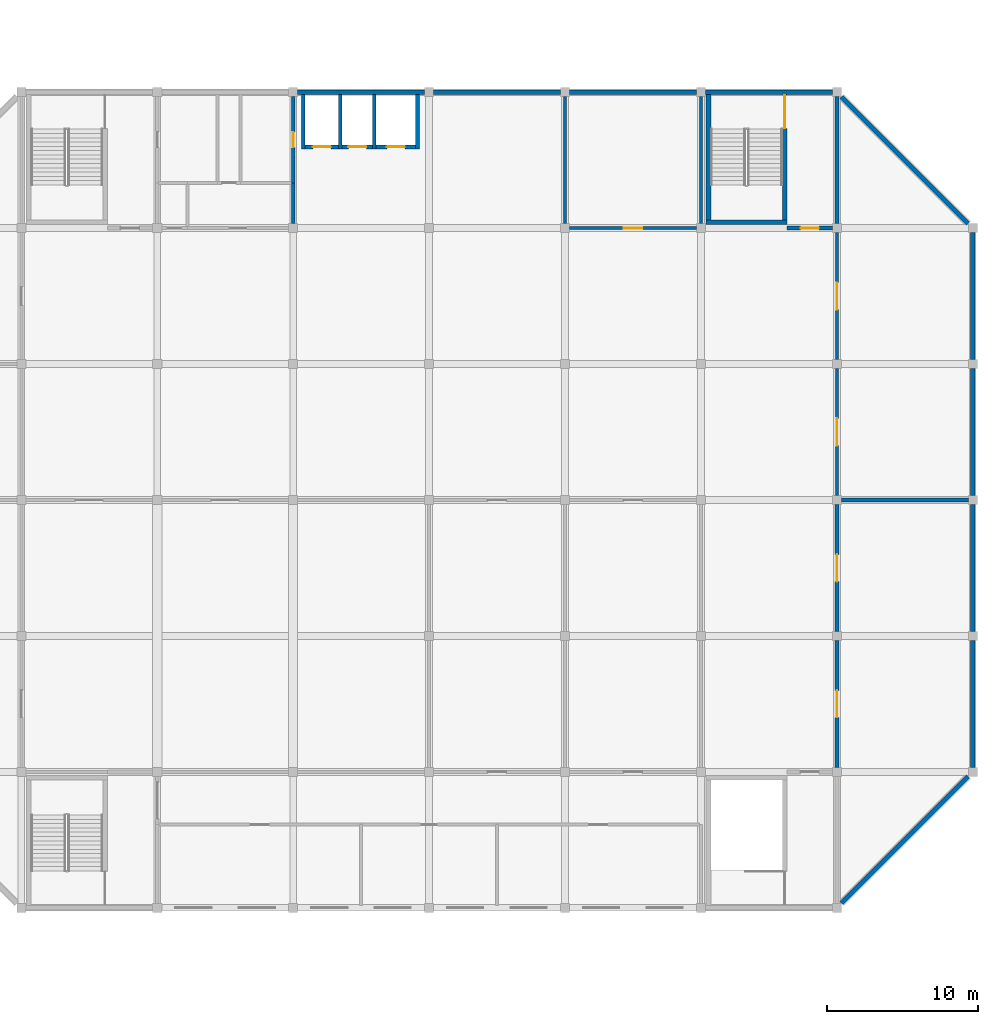
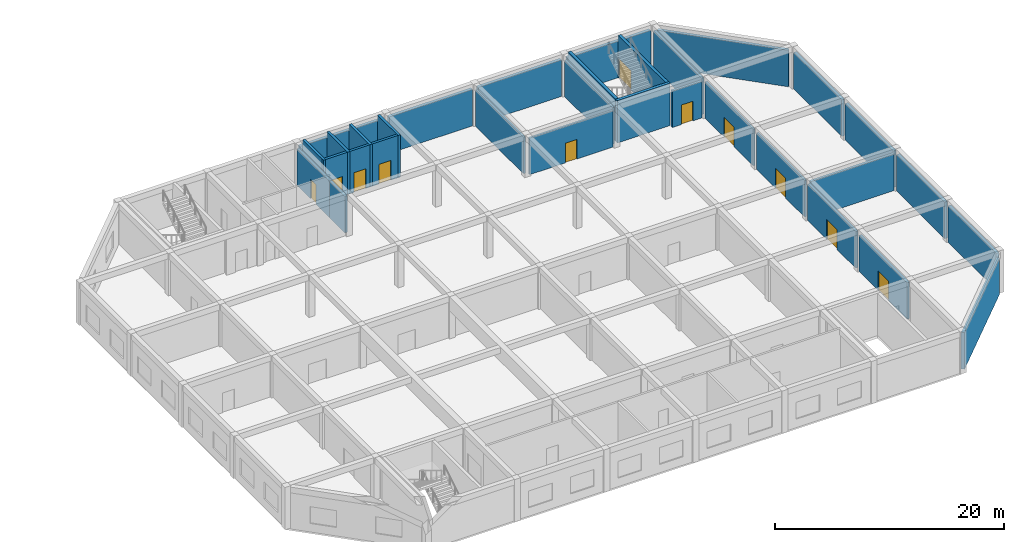
# One storey, part 16 of 26: 30 walls, 11 doors, 11 openings.
"""IFC4 building model written with IfcOpenShell, lengths in metres."""

from ifc_helpers import new_model, si_unit, direction, frame, frame_2d, origin, place, context, subcontext, project, spatial, rectangle, extrude, material, layer, layer_set, type_object, element, fill, save


model = new_model("IFC4")

# Units and contexts
model_context = context("Model", 3, precision=1e-05, world=origin(), true_north=direction((0.0, 1.0)))
body_context = subcontext(model_context, "Body", "Model", "MODEL_VIEW")
ifc_project = project(units=[si_unit("LENGTHUNIT", "METRE"), si_unit("AREAUNIT", "SQUARE_METRE"), si_unit("VOLUMEUNIT", "CUBIC_METRE"), si_unit("PLANEANGLEUNIT", "RADIAN"), si_unit("MASSUNIT", "GRAM", prefix="KILO")], contexts=[model_context])

# Site, building, storey
site_placement = place(None, origin())
site = spatial("IfcSite", under=ifc_project, at=site_placement, CompositionType="ELEMENT")
building_placement = place(site_placement, origin())
building = spatial("IfcBuilding", under=site, at=building_placement, Name="Dhurran Vertical Campus", CompositionType="ELEMENT")
storey_placement = place(building_placement, frame((0.0, 0.0, 15.60009765625)))
storey = spatial("IfcBuildingStorey", under=building, at=storey_placement, Name="L03", CompositionType="ELEMENT", Elevation=15.60009765625)

# Walls
ifc_material_1 = material(Name="Precast concrete C40/50", Category="concrete")
ifc_layer_1 = layer(ifc_material_1, 0.300048828125)
ifc_layer_set_1 = layer_set([ifc_layer_1], Name="Precast concrete C40/50")
wall_type_1 = type_object("IfcWallType", Name="hl-external wall precast 300", PredefinedType="SOLIDWALL", material=ifc_layer_set_1)
wall_1_placement = place(storey_placement, frame((124.800048828125, -26.699951171875, 0.0), z_axis=(0.0, 0.0, 1.0), x_axis=(0.707106781187, 0.707106781187, 0.0)))
element("IfcWall", 1, at=wall_1_placement, inside=storey, type_object=wall_type_1, Name="Hall external wall L03-016", PredefinedType="SOLIDWALL", context=body_context, shape_type="SweptSolid", body=[
    extrude(rectangle(XDim=11.879150390625, YDim=0.300048828125, at=frame_2d((5.939453125, 0.0))), origin(), (0.0, 0.0, 1.0), 3.89990234375),
])
for number, where, z_axis, x_axis, name in (
    (2, (133.5, -17.699951171875, 0.0), (0.0, 0.0, 1.0), (0.0, 1.0, 0.0), "Hall external wall L03-018"),
    (3, (133.5, -8.699951171875, 0.0), (0.0, 0.0, 1.0), (0.0, 1.0, 0.0), "Hall external wall L03-020"),
    (4, (133.5, 0.300048828125, 0.0), (0.0, 0.0, 1.0), (0.0, 1.0, 0.0), "Hall external wall L03-022"),
    (5, (133.5, 9.300048828125, 0.0), (0.0, 0.0, 1.0), (0.0, 1.0, 0.0), "Hall external wall L03-024"),
):
    element("IfcWall", number, at=place(storey_placement, frame(where, z_axis=z_axis, x_axis=x_axis)), inside=storey, type_object=wall_type_1, Name=name, PredefinedType="SOLIDWALL", context=body_context, shape_type="SweptSolid", body=[
        extrude(rectangle(XDim=8.39990234375, YDim=0.300048828125, at=frame_2d((4.199951171875, 0.0))), origin(), (0.0, 0.0, 1.0), 3.89990234375),
    ])
wall_2_placement = place(storey_placement, frame((133.199951171875, 18.300048828125, 0.0), z_axis=(0.0, 0.0, 1.0), x_axis=(-0.707106781187, 0.707106781187, 0.0)))
element("IfcWall", 6, at=wall_2_placement, inside=storey, type_object=wall_type_1, Name="Hall external wall L03-026", PredefinedType="SOLIDWALL", context=body_context, shape_type="SweptSolid", body=[
    extrude(rectangle(XDim=11.879150390625, YDim=0.300048828125, at=frame_2d((5.939453125, 0.0))), origin(), (0.0, 0.0, 1.0), 3.89990234375),
])
for number, where, z_axis, x_axis, name in (
    (7, (115.199951171875, 27.0, 0.0), (0.0, 0.0, 1.0), (-1.0, 0.0, 0.0), "Hall external wall L03-030"),
    (8, (106.199951171875, 27.0, 0.0), (0.0, 0.0, 1.0), (-1.0, 0.0, 0.0), "Hall external wall L03-032"),
    (9, (97.199951171875, 27.0, 0.0), (0.0, 0.0, 1.0), (-1.0, 0.0, 0.0), "Hall external wall L03-034"),
):
    element("IfcWall", number, at=place(storey_placement, frame(where, z_axis=z_axis, x_axis=x_axis)), inside=storey, type_object=wall_type_1, Name=name, PredefinedType="SOLIDWALL", context=body_context, shape_type="SweptSolid", body=[
        extrude(rectangle(XDim=8.39990234375, YDim=0.300048828125, at=frame_2d((4.199951171875, 0.0))), origin(), (0.0, 0.0, 1.0), 3.89990234375),
    ])
ifc_material_2 = material(Name="Precast concrete C40/50", Category="concrete")
ifc_layer_2 = layer(ifc_material_2, 0.300048828125)
ifc_layer_set_2 = layer_set([ifc_layer_2], Name="Precast concrete C40/50")
wall_type_2 = type_object("IfcWallType", Name="hl-external wall precast 300 EI 120", PredefinedType="SOLIDWALL", material=ifc_layer_set_2)
wall_3_placement = place(storey_placement, frame((124.199951171875, 27.0, 0.0), z_axis=(0.0, 0.0, 1.0), x_axis=(-1.0, 0.0, 0.0)))
element("IfcWall", 10, at=wall_3_placement, inside=storey, type_object=wall_type_2, Name="Hall external wall L03-028", PredefinedType="SOLIDWALL", context=body_context, shape_type="SweptSolid", body=[
    extrude(rectangle(XDim=8.39990234375, YDim=0.300048828125, at=frame_2d((4.199951171875, 0.0))), origin(), (0.0, 0.0, 1.0), 3.89990234375),
])
ifc_material_3 = material(Name="Concrete C40/50", Category="concrete")
ifc_layer_3 = layer(ifc_material_3, 0.25)
ifc_layer_set_3 = layer_set([ifc_layer_3], Name="Concrete C40/50")
wall_type_3 = type_object("IfcWallType", Name="hl-lift shaft wall 250", PredefinedType="SHEAR", material=ifc_layer_set_3)
for number, where, z_axis, x_axis, name in (
    (11, (89.175048828125, 23.25, 0.0), (0.0, 0.0, 1.0), (0.0, 1.0, 0.0), "Lift shaft wall V0 L03"),
    (12, (91.625, 23.25, 0.0), (0.0, 0.0, 1.0), (0.0, 1.0, 0.0), "Lift shaft wall V1 L03"),
    (13, (93.875, 23.25, 0.0), (0.0, 0.0, 1.0), (0.0, 1.0, 0.0), "Lift shaft wall V2 L03"),
    (14, (96.72509765625, 23.25, 0.0), (0.0, 0.0, 1.0), (0.0, 1.0, 0.0), "Lift shaft wall V3 L03"),
):
    element("IfcWall", number, at=place(storey_placement, frame(where, z_axis=z_axis, x_axis=x_axis)), inside=storey, type_object=wall_type_3, Name=name, PredefinedType="SHEAR", context=body_context, shape_type="SweptSolid", body=[
        extrude(rectangle(XDim=3.60009765625, YDim=0.25, at=frame_2d((1.800048828125, 0.0))), origin(), (0.0, 0.0, 1.0), 4.52001953125),
    ])

# Wall, openings, doors
wall_4_placement = place(storey_placement, frame((89.050048828125, 23.375, 0.0), z_axis=(0.0, 0.0, 1.0), x_axis=(1.0, 0.0, 0.0)))
wall_4 = element("IfcWall", 15, at=wall_4_placement, inside=storey, type_object=wall_type_3, Name="Lift shaft front wall L03", PredefinedType="SHEAR", context=body_context, shape_type="SweptSolid", body=[
    extrude(rectangle(XDim=7.800048828125, YDim=0.25, at=frame_2d((3.89990234375, 0.0))), origin(), (0.0, 0.0, 1.0), 4.52001953125),
])
opening_1_placement = place(wall_4_placement, frame((0.75, 0.0, 0.0)))
opening_1 = element("IfcOpeningElement", 16, at=opening_1_placement, cuts=wall_4, Name="Opening LD", PredefinedType="OPENING", context=body_context, shape_type="SweptSolid", body=[
    extrude(rectangle(XDim=1.199951171875, YDim=2.10009765625, at=frame_2d((0.60009765625, 1.050048828125))), frame((0.0, 0.135009765625, 0.0), z_axis=(0.0, -1.0, 0.0), x_axis=(1.0, 0.0, 0.0)), (0.0, 0.0, 1.0), 0.27001953125),
])
opening_2_placement = place(wall_4_placement, frame((3.10009765625, 0.0, 0.0)))
opening_2 = element("IfcOpeningElement", 17, at=opening_2_placement, cuts=wall_4, Name="Opening LD", PredefinedType="OPENING", context=body_context, shape_type="SweptSolid", body=[
    extrude(rectangle(XDim=1.199951171875, YDim=2.10009765625, at=frame_2d((0.60009765625, 1.050048828125))), frame((0.0, 0.135009765625, 0.0), z_axis=(0.0, -1.0, 0.0), x_axis=(1.0, 0.0, 0.0)), (0.0, 0.0, 1.0), 0.27001953125),
])
opening_3_placement = place(wall_4_placement, frame((5.64990234375, 0.0, 0.0)))
opening_3 = element("IfcOpeningElement", 18, at=opening_3_placement, cuts=wall_4, Name="Opening LD", PredefinedType="OPENING", context=body_context, shape_type="SweptSolid", body=[
    extrude(rectangle(XDim=1.199951171875, YDim=2.10009765625, at=frame_2d((0.60009765625, 1.050048828125))), frame((0.0, 0.135009765625, 0.0), z_axis=(0.0, -1.0, 0.0), x_axis=(1.0, 0.0, 0.0)), (0.0, 0.0, 1.0), 0.27001953125),
])
ifc_material_4 = material(Name="Stainless steel landing door", Category="steel")
door_type_1 = type_object("IfcDoorType", Name="co-D-LANDING 1200x2100", OperationType="DOUBLE_DOOR_SLIDING", PredefinedType="DOOR", material=ifc_material_4)
door_1_placement = place(opening_1_placement, origin())
door_1 = element("IfcDoor", 19, at=door_1_placement, inside=storey, type_object=door_type_1, Name="Landing door HLF1 L03", OperationType="DOUBLE_DOOR_SLIDING", OverallHeight=2.10009765625, OverallWidth=1.199951171875, PredefinedType="DOOR", context=body_context, shape_type="SweptSolid", body=[
    extrude(rectangle(XDim=1.199951171875, YDim=2.10009765625, at=frame_2d((0.60009765625, 1.050048828125))), frame((0.0, 0.02490234375, 0.0), z_axis=(0.0, -1.0, 0.0), x_axis=(1.0, 0.0, 0.0)), (0.0, 0.0, 1.0), 0.050048828125),
])
fill(opening_1, door_1)
door_2_placement = place(opening_2_placement, origin())
door_2 = element("IfcDoor", 20, at=door_2_placement, inside=storey, type_object=door_type_1, Name="Landing door HLF2 L03", OperationType="DOUBLE_DOOR_SLIDING", OverallHeight=2.10009765625, OverallWidth=1.199951171875, PredefinedType="DOOR", context=body_context, shape_type="SweptSolid", body=[
    extrude(rectangle(XDim=1.199951171875, YDim=2.10009765625, at=frame_2d((0.60009765625, 1.050048828125))), frame((0.0, 0.02490234375, 0.0), z_axis=(0.0, -1.0, 0.0), x_axis=(1.0, 0.0, 0.0)), (0.0, 0.0, 1.0), 0.050048828125),
])
fill(opening_2, door_2)
door_3_placement = place(opening_3_placement, origin())
door_3 = element("IfcDoor", 21, at=door_3_placement, inside=storey, type_object=door_type_1, Name="Landing door HLF3 L03", OperationType="DOUBLE_DOOR_SLIDING", OverallHeight=2.10009765625, OverallWidth=1.199951171875, PredefinedType="DOOR", context=body_context, shape_type="SweptSolid", body=[
    extrude(rectangle(XDim=1.199951171875, YDim=2.10009765625, at=frame_2d((0.60009765625, 1.050048828125))), frame((0.0, 0.02490234375, 0.0), z_axis=(0.0, -1.0, 0.0), x_axis=(1.0, 0.0, 0.0)), (0.0, 0.0, 1.0), 0.050048828125),
])
fill(opening_3, door_3)

# Wall
ifc_material_5 = material(Name="Masonry blockwork", Category="masonry")
ifc_layer_4 = layer(ifc_material_5, 0.199951171875)
ifc_layer_set_4 = layer_set([ifc_layer_4], Name="Masonry blockwork")
wall_type_4 = type_object("IfcWallType", Name="hl-partition blockwork 200 EI 60", PredefinedType="PARTITIONING", material=ifc_layer_set_4)
wall_5_placement = place(storey_placement, frame((106.5, 18.300048828125, 0.0), z_axis=(0.0, 0.0, 1.0), x_axis=(0.0, 1.0, 0.0)))
element("IfcWall", 22, at=wall_5_placement, inside=storey, type_object=wall_type_4, Name="Hall partition L03-044", PredefinedType="PARTITIONING", context=body_context, shape_type="SweptSolid", body=[
    extrude(rectangle(XDim=8.39990234375, YDim=0.199951171875, at=frame_2d((4.199951171875, 0.0))), origin(), (0.0, 0.0, 1.0), 3.89990234375),
])

# Wall, opening, door
wall_6_placement = place(storey_placement, frame((106.800048828125, 18.0, 0.0), z_axis=(0.0, 0.0, 1.0), x_axis=(1.0, 0.0, 0.0)))
wall_6 = element("IfcWall", 23, at=wall_6_placement, inside=storey, type_object=wall_type_4, Name="Hall partition L03-045", PredefinedType="PARTITIONING", context=body_context, shape_type="SweptSolid", body=[
    extrude(rectangle(XDim=8.39990234375, YDim=0.199951171875, at=frame_2d((4.199951171875, 0.0))), origin(), (0.0, 0.0, 1.0), 3.89990234375),
])
opening_4_placement = place(wall_6_placement, frame((3.60009765625, 0.0, 0.0)))
opening_4 = element("IfcOpeningElement", 24, at=opening_4_placement, cuts=wall_6, Name="Opening HD322", PredefinedType="OPENING", context=body_context, shape_type="SweptSolid", body=[
    extrude(rectangle(XDim=1.199951171875, YDim=2.10009765625, at=frame_2d((0.60009765625, 1.050048828125))), frame((0.0, 0.10986328125, 0.0), z_axis=(0.0, -1.0, 0.0), x_axis=(1.0, 0.0, 0.0)), (0.0, 0.0, 1.0), 0.219970703125),
])
ifc_material_6 = material(Name="Fire-rated steel door set", Category="steel")
door_type_2 = type_object("IfcDoorType", Name="hl-door 1200x2100 single FD30S", OperationType="NOTDEFINED", PredefinedType="DOOR", material=ifc_material_6)
door_4_placement = place(opening_4_placement, origin())
door_4 = element("IfcDoor", 25, at=door_4_placement, inside=storey, type_object=door_type_2, Name="Door HD322", OperationType="SINGLE_SWING_RIGHT", OverallHeight=2.10009765625, OverallWidth=1.199951171875, PredefinedType="DOOR", context=body_context, shape_type="SweptSolid", body=[
    extrude(rectangle(XDim=1.199951171875, YDim=2.10009765625, at=frame_2d((0.60009765625, 1.050048828125))), frame((0.0, 0.02490234375, 0.0), z_axis=(0.0, -1.0, 0.0), x_axis=(1.0, 0.0, 0.0)), (0.0, 0.0, 1.0), 0.050048828125),
])
fill(opening_4, door_4)

# Wall
wall_7_placement = place(storey_placement, frame((115.5, 18.300048828125, 0.0), z_axis=(0.0, 0.0, 1.0), x_axis=(0.0, 1.0, 0.0)))
element("IfcWall", 26, at=wall_7_placement, inside=storey, type_object=wall_type_4, Name="Hall partition L03-049", PredefinedType="PARTITIONING", context=body_context, shape_type="SweptSolid", body=[
    extrude(rectangle(XDim=8.39990234375, YDim=0.199951171875, at=frame_2d((4.199951171875, 0.0))), origin(), (0.0, 0.0, 1.0), 3.89990234375),
])

# Wall, opening, door
wall_8_placement = place(storey_placement, frame((124.5, 0.300048828125, 0.0), z_axis=(0.0, 0.0, 1.0), x_axis=(0.0, 1.0, 0.0)))
wall_8 = element("IfcWall", 27, at=wall_8_placement, inside=storey, type_object=wall_type_4, Name="Hall partition L03-055", PredefinedType="PARTITIONING", context=body_context, shape_type="SweptSolid", body=[
    extrude(rectangle(XDim=8.39990234375, YDim=0.199951171875, at=frame_2d((4.199951171875, 0.0))), origin(), (0.0, 0.0, 1.0), 3.89990234375),
])
opening_5_placement = place(wall_8_placement, frame((3.300048828125, 0.0, 0.0)))
opening_5 = element("IfcOpeningElement", 28, at=opening_5_placement, cuts=wall_8, Name="Opening HD325", PredefinedType="OPENING", context=body_context, shape_type="SweptSolid", body=[
    extrude(rectangle(XDim=1.800048828125, YDim=2.10009765625, at=frame_2d((0.89990234375, 1.050048828125))), frame((0.0, 0.10986328125, 0.0), z_axis=(0.0, -1.0, 0.0), x_axis=(1.0, 0.0, 0.0)), (0.0, 0.0, 1.0), 0.219970703125),
])
ifc_material_7 = material(Name="Fire-rated steel door set", Category="steel")
door_type_3 = type_object("IfcDoorType", Name="hl-door 1800x2100 double FD30S", OperationType="NOTDEFINED", PredefinedType="DOOR", material=ifc_material_7)
door_5_placement = place(opening_5_placement, origin())
door_5 = element("IfcDoor", 29, at=door_5_placement, inside=storey, type_object=door_type_3, Name="Door HD325", OperationType="DOUBLE_DOOR_SINGLE_SWING", OverallHeight=2.10009765625, OverallWidth=1.800048828125, PredefinedType="DOOR", context=body_context, shape_type="SweptSolid", body=[
    extrude(rectangle(XDim=1.800048828125, YDim=2.10009765625, at=frame_2d((0.89990234375, 1.050048828125))), frame((0.0, 0.02490234375, 0.0), z_axis=(0.0, -1.0, 0.0), x_axis=(1.0, 0.0, 0.0)), (0.0, 0.0, 1.0), 0.050048828125),
])
fill(opening_5, door_5)

wall_9_placement = place(storey_placement, frame((124.5, 9.300048828125, 0.0), z_axis=(0.0, 0.0, 1.0), x_axis=(0.0, 1.0, 0.0)))
wall_9 = element("IfcWall", 30, at=wall_9_placement, inside=storey, type_object=wall_type_4, Name="Hall partition L03-056", PredefinedType="PARTITIONING", context=body_context, shape_type="SweptSolid", body=[
    extrude(rectangle(XDim=8.39990234375, YDim=0.199951171875, at=frame_2d((4.199951171875, 0.0))), origin(), (0.0, 0.0, 1.0), 3.89990234375),
])
opening_6_placement = place(wall_9_placement, frame((3.300048828125, 0.0, 0.0)))
opening_6 = element("IfcOpeningElement", 31, at=opening_6_placement, cuts=wall_9, Name="Opening HD326", PredefinedType="OPENING", context=body_context, shape_type="SweptSolid", body=[
    extrude(rectangle(XDim=1.800048828125, YDim=2.10009765625, at=frame_2d((0.89990234375, 1.050048828125))), frame((0.0, 0.10986328125, 0.0), z_axis=(0.0, -1.0, 0.0), x_axis=(1.0, 0.0, 0.0)), (0.0, 0.0, 1.0), 0.219970703125),
])
door_6_placement = place(opening_6_placement, origin())
door_6 = element("IfcDoor", 32, at=door_6_placement, inside=storey, type_object=door_type_3, Name="Door HD326", OperationType="DOUBLE_DOOR_SINGLE_SWING", OverallHeight=2.10009765625, OverallWidth=1.800048828125, PredefinedType="DOOR", context=body_context, shape_type="SweptSolid", body=[
    extrude(rectangle(XDim=1.800048828125, YDim=2.10009765625, at=frame_2d((0.89990234375, 1.050048828125))), frame((0.0, 0.02490234375, 0.0), z_axis=(0.0, -1.0, 0.0), x_axis=(1.0, 0.0, 0.0)), (0.0, 0.0, 1.0), 0.050048828125),
])
fill(opening_6, door_6)

# Wall
ifc_material_8 = material(Name="Masonry blockwork", Category="masonry")
ifc_layer_5 = layer(ifc_material_8, 0.25)
ifc_layer_set_5 = layer_set([ifc_layer_5], Name="Masonry blockwork")
wall_type_5 = type_object("IfcWallType", Name="hl-partition blockwork 250 EI 120", PredefinedType="PARTITIONING", material=ifc_layer_set_5)
wall_10_placement = place(storey_placement, frame((88.5, 18.300048828125, 0.0), z_axis=(0.0, 0.0, 1.0), x_axis=(0.0, 1.0, 0.0)))
element("IfcWall", 33, at=wall_10_placement, inside=storey, type_object=wall_type_5, Name="Hall partition L03-030", PredefinedType="PARTITIONING", context=body_context, shape_type="SweptSolid", body=[
    extrude(rectangle(XDim=2.699951171875, YDim=0.25, at=frame_2d((1.35009765625, 0.0))), origin(), (0.0, 0.0, 1.0), 3.89990234375),
])

# Wall, opening, door
wall_11_placement = place(storey_placement, frame((88.5, 21.0, 0.0), z_axis=(0.0, 0.0, 1.0), x_axis=(0.0, 1.0, 0.0)))
wall_11 = element("IfcWall", 34, at=wall_11_placement, inside=storey, type_object=wall_type_5, Name="Hall partition L03-031", PredefinedType="PARTITIONING", context=body_context, shape_type="SweptSolid", body=[
    extrude(rectangle(XDim=5.699951171875, YDim=0.25, at=frame_2d((2.85009765625, 0.0))), origin(), (0.0, 0.0, 1.0), 3.89990234375),
])
opening_7_placement = place(wall_11_placement, frame((2.35009765625, 0.0, 0.0)))
opening_7 = element("IfcOpeningElement", 35, at=opening_7_placement, cuts=wall_11, Name="Opening HD321", PredefinedType="OPENING", context=body_context, shape_type="SweptSolid", body=[
    extrude(rectangle(XDim=1.0, YDim=2.10009765625, at=frame_2d((0.5, 1.050048828125))), frame((0.0, 0.135009765625, 0.0), z_axis=(0.0, -1.0, 0.0), x_axis=(1.0, 0.0, 0.0)), (0.0, 0.0, 1.0), 0.27001953125),
])
ifc_material_9 = material(Name="Fire-rated steel door set", Category="steel")
door_type_4 = type_object("IfcDoorType", Name="hl-door 1000x2100 single FD90", OperationType="NOTDEFINED", PredefinedType="DOOR", material=ifc_material_9)
door_7_placement = place(opening_7_placement, origin())
door_7 = element("IfcDoor", 36, at=door_7_placement, inside=storey, type_object=door_type_4, Name="Door HD321", OperationType="SINGLE_SWING_LEFT", OverallHeight=2.10009765625, OverallWidth=1.0, PredefinedType="DOOR", context=body_context, shape_type="SweptSolid", body=[
    extrude(rectangle(XDim=1.0, YDim=2.10009765625, at=frame_2d((0.5, 1.050048828125))), frame((0.0, 0.02490234375, 0.0), z_axis=(0.0, -1.0, 0.0), x_axis=(1.0, 0.0, 0.0)), (0.0, 0.0, 1.0), 0.050048828125),
])
fill(opening_7, door_7)

wall_12_placement = place(storey_placement, frame((121.199951171875, 18.0, 0.0), z_axis=(0.0, 0.0, 1.0), x_axis=(1.0, 0.0, 0.0)))
wall_12 = element("IfcWall", 37, at=wall_12_placement, inside=storey, type_object=wall_type_5, Name="Hall partition L03-051", PredefinedType="PARTITIONING", context=body_context, shape_type="SweptSolid", body=[
    extrude(rectangle(XDim=3.0, YDim=0.25, at=frame_2d((1.5, 0.0))), origin(), (0.0, 0.0, 1.0), 3.89990234375),
])
opening_8_placement = place(wall_12_placement, frame((0.89990234375, 0.0, 0.0)))
opening_8 = element("IfcOpeningElement", 38, at=opening_8_placement, cuts=wall_12, Name="Opening HD304", PredefinedType="OPENING", context=body_context, shape_type="SweptSolid", body=[
    extrude(rectangle(XDim=1.199951171875, YDim=2.10009765625, at=frame_2d((0.60009765625, 1.050048828125))), frame((0.0, 0.135009765625, 0.0), z_axis=(0.0, -1.0, 0.0), x_axis=(1.0, 0.0, 0.0)), (0.0, 0.0, 1.0), 0.27001953125),
])
ifc_material_10 = material(Name="Fire-rated steel door set", Category="steel")
door_type_5 = type_object("IfcDoorType", Name="hl-door 1200x2100 single FD90", OperationType="NOTDEFINED", PredefinedType="DOOR", material=ifc_material_10)
door_8_placement = place(opening_8_placement, origin())
door_8 = element("IfcDoor", 39, at=door_8_placement, inside=storey, type_object=door_type_5, Name="Door HD304", OperationType="SINGLE_SWING_RIGHT", OverallHeight=2.10009765625, OverallWidth=1.199951171875, PredefinedType="DOOR", context=body_context, shape_type="SweptSolid", body=[
    extrude(rectangle(XDim=1.199951171875, YDim=2.10009765625, at=frame_2d((0.60009765625, 1.050048828125))), frame((0.0, 0.02490234375, 0.0), z_axis=(0.0, -1.0, 0.0), x_axis=(1.0, 0.0, 0.0)), (0.0, 0.0, 1.0), 0.050048828125),
])
fill(opening_8, door_8)

wall_13_placement = place(storey_placement, frame((124.5, -17.699951171875, 0.0), z_axis=(0.0, 0.0, 1.0), x_axis=(0.0, 1.0, 0.0)))
wall_13 = element("IfcWall", 40, at=wall_13_placement, inside=storey, type_object=wall_type_5, Name="Hall partition L03-053", PredefinedType="PARTITIONING", context=body_context, shape_type="SweptSolid", body=[
    extrude(rectangle(XDim=8.39990234375, YDim=0.25, at=frame_2d((4.199951171875, 0.0))), origin(), (0.0, 0.0, 1.0), 3.89990234375),
])
opening_9_placement = place(wall_13_placement, frame((3.300048828125, 0.0, 0.0)))
opening_9 = element("IfcOpeningElement", 41, at=opening_9_placement, cuts=wall_13, Name="Opening HD323", PredefinedType="OPENING", context=body_context, shape_type="SweptSolid", body=[
    extrude(rectangle(XDim=1.800048828125, YDim=2.10009765625, at=frame_2d((0.89990234375, 1.050048828125))), frame((0.0, 0.135009765625, 0.0), z_axis=(0.0, -1.0, 0.0), x_axis=(1.0, 0.0, 0.0)), (0.0, 0.0, 1.0), 0.27001953125),
])
ifc_material_11 = material(Name="Fire-rated steel door set", Category="steel")
door_type_6 = type_object("IfcDoorType", Name="hl-door 1800x2100 double FD90", OperationType="NOTDEFINED", PredefinedType="DOOR", material=ifc_material_11)
door_9_placement = place(opening_9_placement, origin())
door_9 = element("IfcDoor", 42, at=door_9_placement, inside=storey, type_object=door_type_6, Name="Door HD323", OperationType="DOUBLE_DOOR_SINGLE_SWING", OverallHeight=2.10009765625, OverallWidth=1.800048828125, PredefinedType="DOOR", context=body_context, shape_type="SweptSolid", body=[
    extrude(rectangle(XDim=1.800048828125, YDim=2.10009765625, at=frame_2d((0.89990234375, 1.050048828125))), frame((0.0, 0.02490234375, 0.0), z_axis=(0.0, -1.0, 0.0), x_axis=(1.0, 0.0, 0.0)), (0.0, 0.0, 1.0), 0.050048828125),
])
fill(opening_9, door_9)

wall_14_placement = place(storey_placement, frame((124.5, -8.699951171875, 0.0), z_axis=(0.0, 0.0, 1.0), x_axis=(0.0, 1.0, 0.0)))
wall_14 = element("IfcWall", 43, at=wall_14_placement, inside=storey, type_object=wall_type_5, Name="Hall partition L03-054", PredefinedType="PARTITIONING", context=body_context, shape_type="SweptSolid", body=[
    extrude(rectangle(XDim=8.39990234375, YDim=0.25, at=frame_2d((4.199951171875, 0.0))), origin(), (0.0, 0.0, 1.0), 3.89990234375),
])
opening_10_placement = place(wall_14_placement, frame((3.300048828125, 0.0, 0.0)))
opening_10 = element("IfcOpeningElement", 44, at=opening_10_placement, cuts=wall_14, Name="Opening HD324", PredefinedType="OPENING", context=body_context, shape_type="SweptSolid", body=[
    extrude(rectangle(XDim=1.800048828125, YDim=2.10009765625, at=frame_2d((0.89990234375, 1.050048828125))), frame((0.0, 0.135009765625, 0.0), z_axis=(0.0, -1.0, 0.0), x_axis=(1.0, 0.0, 0.0)), (0.0, 0.0, 1.0), 0.27001953125),
])
door_10_placement = place(opening_10_placement, origin())
door_10 = element("IfcDoor", 45, at=door_10_placement, inside=storey, type_object=door_type_6, Name="Door HD324", OperationType="DOUBLE_DOOR_SINGLE_SWING", OverallHeight=2.10009765625, OverallWidth=1.800048828125, PredefinedType="DOOR", context=body_context, shape_type="SweptSolid", body=[
    extrude(rectangle(XDim=1.800048828125, YDim=2.10009765625, at=frame_2d((0.89990234375, 1.050048828125))), frame((0.0, 0.02490234375, 0.0), z_axis=(0.0, -1.0, 0.0), x_axis=(1.0, 0.0, 0.0)), (0.0, 0.0, 1.0), 0.050048828125),
])
fill(opening_10, door_10)

# Walls
for number, where, z_axis, x_axis, name in (
    (46, (124.800048828125, 0.0, 0.0), (0.0, 0.0, 1.0), (1.0, 0.0, 0.0), "Hall partition L03-057"),
    (47, (124.5, 18.300048828125, 0.0), (0.0, 0.0, 1.0), (0.0, 1.0, 0.0), "Hall partition L03-058"),
):
    element("IfcWall", number, at=place(storey_placement, frame(where, z_axis=z_axis, x_axis=x_axis)), inside=storey, type_object=wall_type_5, Name=name, PredefinedType="PARTITIONING", context=body_context, shape_type="SweptSolid", body=[
        extrude(rectangle(XDim=8.39990234375, YDim=0.25, at=frame_2d((4.199951171875, 0.0))), origin(), (0.0, 0.0, 1.0), 3.89990234375),
    ])
ifc_material_12 = material(Name="Concrete C40/50", Category="concrete")
ifc_layer_6 = layer(ifc_material_12, 0.300048828125)
ifc_layer_set_6 = layer_set([ifc_layer_6], Name="Concrete C40/50")
wall_type_6 = type_object("IfcWallType", Name="hl-stair shaft wall 300", PredefinedType="SHEAR", material=ifc_layer_set_6)
wall_15_placement = place(storey_placement, frame((116.0, 26.85009765625, 0.0), z_axis=(0.0, 0.0, 1.0), x_axis=(0.0, -1.0, 0.0)))
element("IfcWall", 48, at=wall_15_placement, inside=storey, type_object=wall_type_6, Name="Stair shaft wall HST2 W L03", PredefinedType="SHEAR", context=body_context, shape_type="SweptSolid", body=[
    extrude(rectangle(XDim=8.300048828125, YDim=0.300048828125, at=frame_2d((4.14990234375, 0.0))), origin(), (0.0, 0.0, 1.0), 4.52001953125),
])

# Wall, opening, door
wall_16_placement = place(storey_placement, frame((121.050048828125, 26.85009765625, 0.0), z_axis=(0.0, 0.0, 1.0), x_axis=(0.0, -1.0, 0.0)))
wall_16 = element("IfcWall", 49, at=wall_16_placement, inside=storey, type_object=wall_type_6, Name="Stair shaft wall HST2 E L03", PredefinedType="SHEAR", context=body_context, shape_type="SweptSolid", body=[
    extrude(rectangle(XDim=8.300048828125, YDim=0.300048828125, at=frame_2d((4.14990234375, 0.0))), origin(), (0.0, 0.0, 1.0), 4.52001953125),
])
opening_11_placement = place(wall_16_placement, frame((0.050048828125, 0.0, 0.0)))
opening_11 = element("IfcOpeningElement", 50, at=opening_11_placement, cuts=wall_16, Name="Opening HDS32", PredefinedType="OPENING", context=body_context, shape_type="SweptSolid", body=[
    extrude(rectangle(XDim=2.199951171875, YDim=2.10009765625, at=frame_2d((1.10009765625, 1.050048828125))), frame((0.0, 0.159912109375, 0.0), z_axis=(0.0, -1.0, 0.0), x_axis=(1.0, 0.0, 0.0)), (0.0, 0.0, 1.0), 0.320068359375),
])
ifc_material_13 = material(Name="Fire-rated steel door set", Category="steel")
door_type_7 = type_object("IfcDoorType", Name="hl-door 2200x2100 double FD90", OperationType="NOTDEFINED", PredefinedType="DOOR", material=ifc_material_13)
door_11_placement = place(opening_11_placement, origin())
door_11 = element("IfcDoor", 51, at=door_11_placement, inside=storey, type_object=door_type_7, Name="Door HDS32", OperationType="DOUBLE_DOOR_SINGLE_SWING", OverallHeight=2.10009765625, OverallWidth=2.199951171875, PredefinedType="DOOR", context=body_context, shape_type="SweptSolid", body=[
    extrude(rectangle(XDim=2.199951171875, YDim=2.10009765625, at=frame_2d((1.10009765625, 1.050048828125))), frame((0.0, 0.02490234375, 0.0), z_axis=(0.0, -1.0, 0.0), x_axis=(1.0, 0.0, 0.0)), (0.0, 0.0, 1.0), 0.050048828125),
])
fill(opening_11, door_11)

# Wall
wall_17_placement = place(storey_placement, frame((115.85009765625, 18.39990234375, 0.0), z_axis=(0.0, 0.0, 1.0), x_axis=(1.0, 0.0, 0.0)))
element("IfcWall", 52, at=wall_17_placement, inside=storey, type_object=wall_type_6, Name="Stair shaft wall HST2 F L03", PredefinedType="SHEAR", context=body_context, shape_type="SweptSolid", body=[
    extrude(rectangle(XDim=5.349853515625, YDim=0.300048828125, at=frame_2d((2.6748046875, 0.0))), origin(), (0.0, 0.0, 1.0), 4.52001953125),
])

save(model, "model.ifc")
